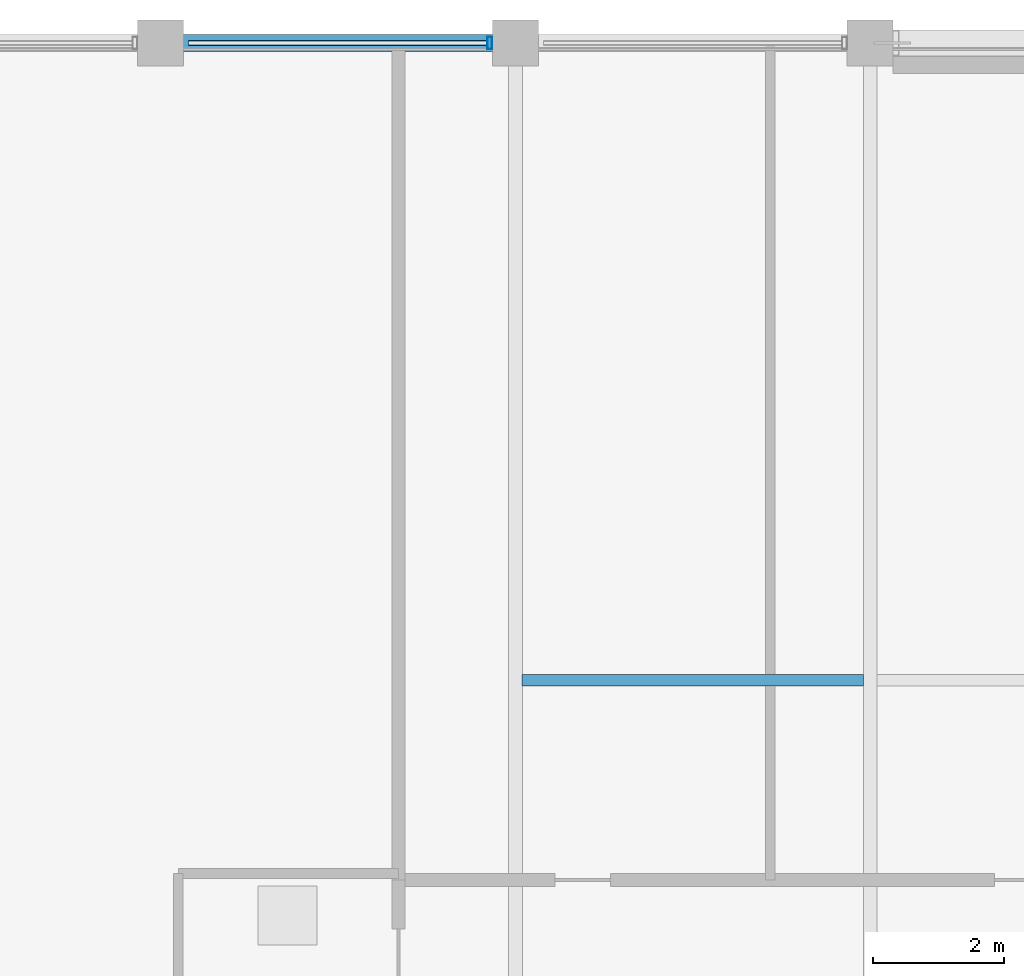
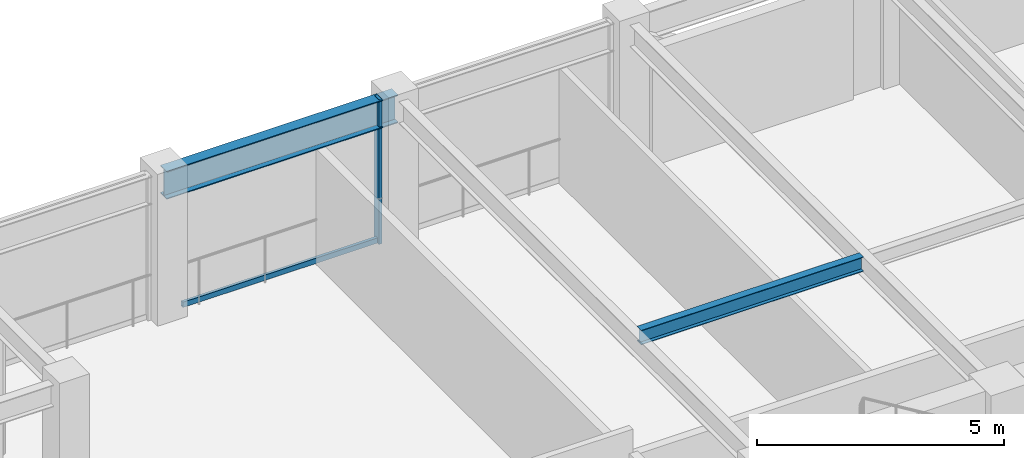
# One storey, part 17 of 34: 2 beams, 2 members, 1 element without a shape of its own.
"""IFC4 building model written with IfcOpenShell, lengths in metres."""

from ifc_helpers import new_model, si_unit, direction, frame, origin, origin_2d, place, context, subcontext, project, spatial, hollow_rectangle, i_section, extrude, material, layer, layer_set, material_profile, profile_set, type_object, element, aggregate, save


model = new_model("IFC4")

# Units and contexts
model_context = context("Model", 3, precision=1e-05, world=origin(), true_north=direction((0.0, 1.0)))
body_context = subcontext(model_context, "Body", "Model", "MODEL_VIEW")
ifc_project = project(units=[si_unit("LENGTHUNIT", "METRE"), si_unit("AREAUNIT", "SQUARE_METRE"), si_unit("VOLUMEUNIT", "CUBIC_METRE"), si_unit("PLANEANGLEUNIT", "RADIAN"), si_unit("MASSUNIT", "GRAM", prefix="KILO")], contexts=[model_context])

# Site, building, storey
site_placement = place(None, origin())
site = spatial("IfcSite", under=ifc_project, at=site_placement, CompositionType="ELEMENT")
building_placement = place(site_placement, origin())
building = spatial("IfcBuilding", under=site, at=building_placement, Name="Surkhivell Harbour Commons", CompositionType="ELEMENT")
storey_placement = place(building_placement, frame((0.0, 0.0, 258.75)))
storey = spatial("IfcBuildingStorey", under=building, at=storey_placement, Name="L67", CompositionType="ELEMENT", Elevation=258.75)

# Beams
ifc_material_1 = material(Name="Steel S355", Category="steel")
ifc_material_profile_1 = material_profile(ifc_material_1, i_section(OverallWidth=0.172119140625, OverallDepth=0.35791015625, WebThickness=0.008056640625, FlangeThickness=0.012939453125, at=origin_2d()), Name="UB356x171x57")
ifc_profile_set_1 = profile_set([ifc_material_profile_1], Name="Steel S355")
beam_type_1 = type_object("IfcBeamType", Name="BM-JST-356", PredefinedType="JOIST", material=ifc_profile_set_1)
beam_1_placement = place(storey_placement, frame((-10.697021484375, 16.199951171875, 3.39111328125), z_axis=(1.0, 0.0, 0.0), x_axis=(0.0, 1.0, 0.0)))
element("IfcBeam", 1, at=beam_1_placement, inside=storey, type_object=beam_type_1, Name="L67 North Composite Joist (-10.8)", PredefinedType="JOIST", context=body_context, shape_type="SweptSolid", body=[
    extrude(i_section(OverallWidth=0.172119140625, OverallDepth=0.35791015625, WebThickness=0.008056640625, FlangeThickness=0.012939453125, at=origin_2d()), origin(), (0.0, 0.0, 1.0), 5.194091796875),
])
ifc_material_profile_2 = material_profile(ifc_material_1, i_section(OverallWidth=0.256103515625, OverallDepth=0.693115234375, WebThickness=0.014404296875, FlangeThickness=0.023681640625, at=origin_2d()), Name="UB686x254x170")
ifc_profile_set_2 = profile_set([ifc_material_profile_2], Name="Steel S355")
beam_type_2 = type_object("IfcBeamType", Name="BM-SPN-686", PredefinedType="SPANDREL", material=ifc_profile_set_2)
beam_2_placement = place(storey_placement, frame((-16.199951171875, 25.89990234375, 3.223388671875), z_axis=(1.0, 0.0, 0.0), x_axis=(0.0, 1.0, 0.0)))
element("IfcBeam", 2, at=beam_2_placement, inside=storey, type_object=beam_type_2, Name="L67 Tube Spandrel (-16.2,25.9)", PredefinedType="SPANDREL", context=body_context, shape_type="SweptSolid", body=[
    extrude(i_section(OverallWidth=0.256103515625, OverallDepth=0.693115234375, WebThickness=0.014404296875, FlangeThickness=0.023681640625, at=origin_2d()), origin(), (0.0, 0.0, 1.0), 5.39990234375),
])

# Curtain wall, members
ifc_material_2 = material(Name="Anodised pale-metal aluminium and insulated glazing", Category="aluminium")
ifc_layer = layer(ifc_material_2, 0.175048828125)
ifc_layer_set = layer_set([ifc_layer], Name="Anodised pale-metal aluminium and insulated glazing")
curtain_wall_type = type_object("IfcCurtainWallType", Name="CW-SYS-Z4", PredefinedType="NOTDEFINED", material=ifc_layer_set)
curtain_wall_placement = place(storey_placement, origin())
curtain_wall = element("IfcCurtainWall", 3, at=curtain_wall_placement, inside=storey, type_object=curtain_wall_type, Name="L67 Curtain Wall CW-L67-E07S2", PredefinedType="NOTDEFINED")
ifc_material_3 = material(Name="Anodised pale-metal aluminium alloy 6063-T6", Category="aluminium")
ifc_material_profile_3 = material_profile(ifc_material_3, hollow_rectangle(XDim=0.074951171875, YDim=0.18994140625, WallThickness=0.00390625, at=origin_2d()), Name="ALU-MULL-75x190")
ifc_profile_set_3 = profile_set([ifc_material_profile_3], Name="Anodised pale-metal aluminium alloy 6063-T6")
member_type_1 = type_object("IfcMemberType", Name="CWM-190", PredefinedType="MULLION", material=ifc_profile_set_3)
member_1_placement = place(storey_placement, frame((-11.189453125, 25.89990234375, 0.0), z_axis=(0.0, 0.0, 1.0), x_axis=(-1.0, 0.0, 0.0)))
member_1 = element("IfcMember", 4, at=member_1_placement, type_object=member_type_1, Name="CW-Z4 mullion 2", PredefinedType="MULLION", context=body_context, shape_type="SweptSolid", body=[
    extrude(hollow_rectangle(XDim=0.074951171875, YDim=0.18994140625, WallThickness=0.00390625, at=origin_2d()), origin(), (0.0, 0.0, 1.0), 3.570068359375),
])
ifc_material_4 = material(Name="Champagne anodised aluminium alloy 6063-T6", Category="aluminium")
ifc_material_profile_4 = material_profile(ifc_material_4, hollow_rectangle(XDim=0.070068359375, YDim=0.1298828125, WallThickness=0.00341796875, at=origin_2d()), Name="ALU-TRAN-70x130")
ifc_profile_set_4 = profile_set([ifc_material_profile_4], Name="Champagne anodised aluminium alloy 6063-T6")
member_type_2 = type_object("IfcMemberType", Name="CWT-130", PredefinedType="USERDEFINED", material=ifc_profile_set_4)
member_2_placement = place(storey_placement, frame((-11.22705078125, 25.89990234375, 0.06494140625), z_axis=(-1.0, 0.0, 0.0), x_axis=(0.0, -1.0, 0.0)))
member_2 = element("IfcMember", 5, at=member_2_placement, type_object=member_type_2, Name="CW-Z4 transom 2.1", ObjectType="TRANSOM", PredefinedType="USERDEFINED", context=body_context, shape_type="SweptSolid", body=[
    extrude(hollow_rectangle(XDim=0.070068359375, YDim=0.1298828125, WallThickness=0.00341796875, at=origin_2d()), origin(), (0.0, 0.0, 1.0), 4.5458984375),
])
aggregate(curtain_wall, [member_1, member_2])

save(model, "model.ifc")
